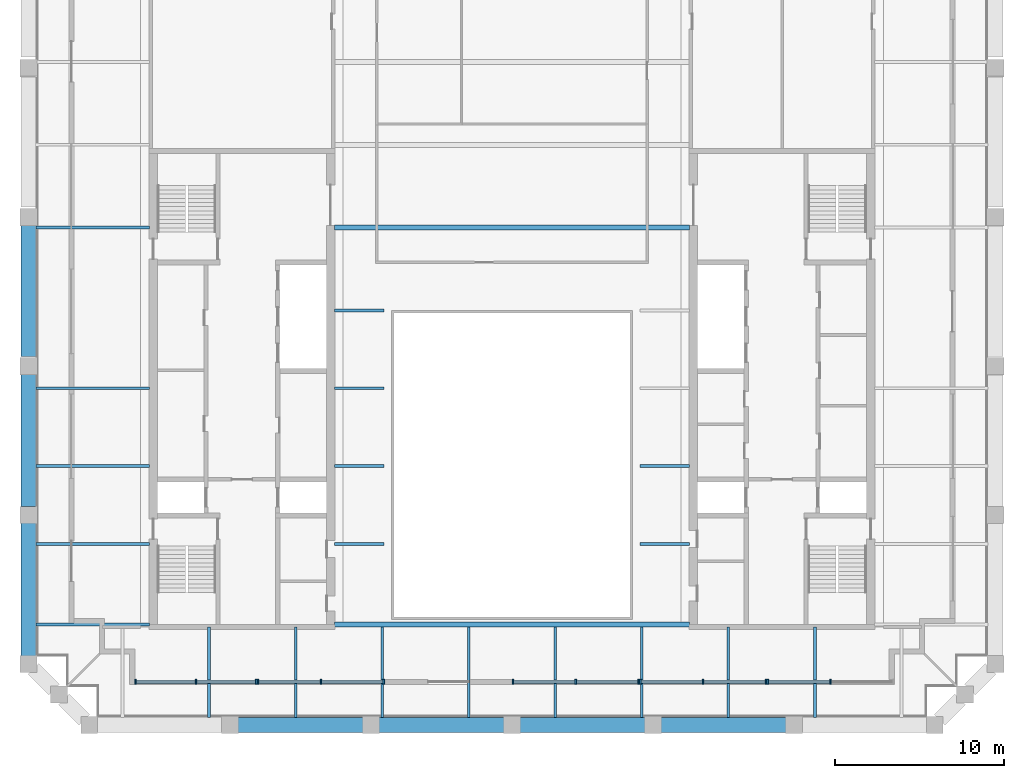
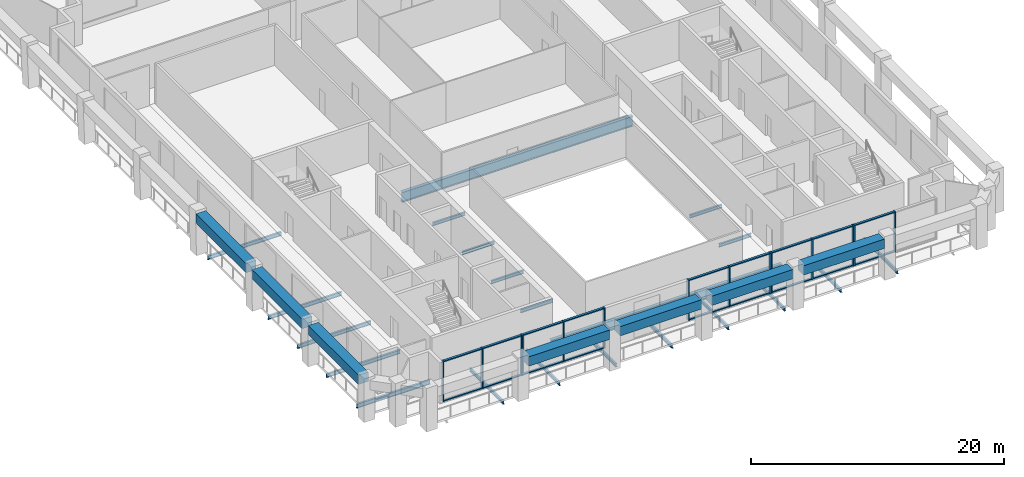
# One storey, part 2 of 10: 32 members, 28 beams, 5 elements without a shape of their own.
"""IFC4 building model written with IfcOpenShell, lengths in metres."""

from ifc_helpers import new_model, si_unit, direction, frame, origin, origin_2d, place, context, subcontext, project, spatial, rectangle, i_section, extrude, material, material_profile, profile_set, type_object, element, aggregate, save


model = new_model("IFC4")

# Units and contexts
model_context = context("Model", 3, precision=1e-05, world=origin(), true_north=direction((0.0, 1.0)))
body_context = subcontext(model_context, "Body", "Model", "MODEL_VIEW")
ifc_project = project(units=[si_unit("LENGTHUNIT", "METRE"), si_unit("AREAUNIT", "SQUARE_METRE"), si_unit("VOLUMEUNIT", "CUBIC_METRE"), si_unit("PLANEANGLEUNIT", "RADIAN"), si_unit("MASSUNIT", "GRAM", prefix="KILO")], contexts=[model_context])

# Site, building, storey
site_placement = place(None, origin())
site = spatial("IfcSite", under=ifc_project, at=site_placement, CompositionType="ELEMENT")
building_placement = place(site_placement, origin())
building = spatial("IfcBuilding", under=site, at=building_placement, Name="Ogive Exchange Tower", CompositionType="ELEMENT")
storey_placement = place(building_placement, frame((0.0, 0.0, 359.39990234375)))
storey = spatial("IfcBuildingStorey", under=building, at=storey_placement, Name="L79", CompositionType="ELEMENT", Elevation=359.39990234375)

# Curtain wall, members
ifc_material_1 = material(Name="Anodised aluminium and clear glass", Category="aluminium")
curtain_wall_type = type_object("IfcCurtainWallType", Name="Executive floor glazing", PredefinedType="NOTDEFINED", material=ifc_material_1)
curtain_wall_1_placement = place(storey_placement, origin())
curtain_wall_1 = element("IfcCurtainWall", 1, at=curtain_wall_1_placement, inside=storey, type_object=curtain_wall_type, Name="Executive floor glazing run G1", PredefinedType="NOTDEFINED")
ifc_material_2 = material(Name="Anodised aluminium", Category="aluminium")
ifc_material_profile_1 = material_profile(ifc_material_2, rectangle(XDim=0.280029296875, YDim=0.10009765625, at=origin_2d()), Name="AL 100x280")
ifc_profile_set_1 = profile_set([ifc_material_profile_1], Name="Anodised aluminium")
member_type_1 = type_object("IfcMemberType", Name="Executive floor glazing mullion 100 x 280", PredefinedType="MULLION", material=ifc_profile_set_1)
member_1_placement = place(storey_placement, frame((-22.300048828125, -5.85009765625, 0.0), z_axis=(0.0, 0.0, 1.0), x_axis=(0.0, 1.0, 0.0)))
member_1 = element("IfcMember", 2, at=member_1_placement, type_object=member_type_1, Name="G1 mullion 1", PredefinedType="MULLION", context=body_context, shape_type="SweptSolid", body=[
    extrude(rectangle(XDim=0.280029296875, YDim=0.10009765625, at=origin_2d()), origin(), (0.0, 0.0, 1.0), 3.900146484375),
])
member_2_placement = place(storey_placement, frame((-18.72509765625, -5.85009765625, 0.0), z_axis=(0.0, 0.0, 1.0), x_axis=(0.0, 1.0, 0.0)))
member_2 = element("IfcMember", 3, at=member_2_placement, type_object=member_type_1, Name="G1 mullion 2", PredefinedType="MULLION", context=body_context, shape_type="SweptSolid", body=[
    extrude(rectangle(XDim=0.280029296875, YDim=0.10009765625, at=origin_2d()), origin(), (0.0, 0.0, 1.0), 3.900146484375),
])
member_3_placement = place(storey_placement, frame((-15.14990234375, -5.85009765625, 0.0), z_axis=(0.0, 0.0, 1.0), x_axis=(0.0, 1.0, 0.0)))
member_3 = element("IfcMember", 4, at=member_3_placement, type_object=member_type_1, Name="G1 mullion 3", PredefinedType="MULLION", context=body_context, shape_type="SweptSolid", body=[
    extrude(rectangle(XDim=0.280029296875, YDim=0.10009765625, at=origin_2d()), origin(), (0.0, 0.0, 1.0), 3.900146484375),
])

curtain_wall_2_placement = place(storey_placement, origin())
curtain_wall_2 = element("IfcCurtainWall", 5, at=curtain_wall_2_placement, inside=storey, type_object=curtain_wall_type, Name="Executive floor glazing run G2", PredefinedType="NOTDEFINED")
member_4_placement = place(storey_placement, frame((-15.050048828125, -5.85009765625, 0.0), z_axis=(0.0, 0.0, 1.0), x_axis=(0.0, 1.0, 0.0)))
member_4 = element("IfcMember", 6, at=member_4_placement, type_object=member_type_1, Name="G2 mullion 1", PredefinedType="MULLION", context=body_context, shape_type="SweptSolid", body=[
    extrude(rectangle(XDim=0.280029296875, YDim=0.10009765625, at=origin_2d()), origin(), (0.0, 0.0, 1.0), 3.900146484375),
])
member_5_placement = place(storey_placement, frame((-11.324951171875, -5.85009765625, 0.0), z_axis=(0.0, 0.0, 1.0), x_axis=(0.0, 1.0, 0.0)))
member_5 = element("IfcMember", 7, at=member_5_placement, type_object=member_type_1, Name="G2 mullion 2", PredefinedType="MULLION", context=body_context, shape_type="SweptSolid", body=[
    extrude(rectangle(XDim=0.280029296875, YDim=0.10009765625, at=origin_2d()), origin(), (0.0, 0.0, 1.0), 3.900146484375),
])
member_6_placement = place(storey_placement, frame((-7.60009765625, -5.85009765625, 0.0), z_axis=(0.0, 0.0, 1.0), x_axis=(0.0, 1.0, 0.0)))
member_6 = element("IfcMember", 8, at=member_6_placement, type_object=member_type_1, Name="G2 mullion 3", PredefinedType="MULLION", context=body_context, shape_type="SweptSolid", body=[
    extrude(rectangle(XDim=0.280029296875, YDim=0.10009765625, at=origin_2d()), origin(), (0.0, 0.0, 1.0), 3.900146484375),
])

curtain_wall_3_placement = place(storey_placement, origin())
curtain_wall_3 = element("IfcCurtainWall", 9, at=curtain_wall_3_placement, inside=storey, type_object=curtain_wall_type, Name="Executive floor glazing run G4", PredefinedType="NOTDEFINED")
member_7_placement = place(storey_placement, frame((0.050048828125, -5.85009765625, 0.0), z_axis=(0.0, 0.0, 1.0), x_axis=(0.0, 1.0, 0.0)))
member_7 = element("IfcMember", 10, at=member_7_placement, type_object=member_type_1, Name="G4 mullion 1", PredefinedType="MULLION", context=body_context, shape_type="SweptSolid", body=[
    extrude(rectangle(XDim=0.280029296875, YDim=0.10009765625, at=origin_2d()), origin(), (0.0, 0.0, 1.0), 3.900146484375),
])
member_8_placement = place(storey_placement, frame((3.77490234375, -5.85009765625, 0.0), z_axis=(0.0, 0.0, 1.0), x_axis=(0.0, 1.0, 0.0)))
member_8 = element("IfcMember", 11, at=member_8_placement, type_object=member_type_1, Name="G4 mullion 2", PredefinedType="MULLION", context=body_context, shape_type="SweptSolid", body=[
    extrude(rectangle(XDim=0.280029296875, YDim=0.10009765625, at=origin_2d()), origin(), (0.0, 0.0, 1.0), 3.900146484375),
])
member_9_placement = place(storey_placement, frame((7.5, -5.85009765625, 0.0), z_axis=(0.0, 0.0, 1.0), x_axis=(0.0, 1.0, 0.0)))
member_9 = element("IfcMember", 12, at=member_9_placement, type_object=member_type_1, Name="G4 mullion 3", PredefinedType="MULLION", context=body_context, shape_type="SweptSolid", body=[
    extrude(rectangle(XDim=0.280029296875, YDim=0.10009765625, at=origin_2d()), origin(), (0.0, 0.0, 1.0), 3.900146484375),
])

curtain_wall_4_placement = place(storey_placement, origin())
curtain_wall_4 = element("IfcCurtainWall", 13, at=curtain_wall_4_placement, inside=storey, type_object=curtain_wall_type, Name="Executive floor glazing run G5", PredefinedType="NOTDEFINED")
member_10_placement = place(storey_placement, frame((7.60009765625, -5.85009765625, 0.0), z_axis=(0.0, 0.0, 1.0), x_axis=(0.0, 1.0, 0.0)))
member_10 = element("IfcMember", 14, at=member_10_placement, type_object=member_type_1, Name="G5 mullion 1", PredefinedType="MULLION", context=body_context, shape_type="SweptSolid", body=[
    extrude(rectangle(XDim=0.280029296875, YDim=0.10009765625, at=origin_2d()), origin(), (0.0, 0.0, 1.0), 3.900146484375),
])
member_11_placement = place(storey_placement, frame((11.324951171875, -5.85009765625, 0.0), z_axis=(0.0, 0.0, 1.0), x_axis=(0.0, 1.0, 0.0)))
member_11 = element("IfcMember", 15, at=member_11_placement, type_object=member_type_1, Name="G5 mullion 2", PredefinedType="MULLION", context=body_context, shape_type="SweptSolid", body=[
    extrude(rectangle(XDim=0.280029296875, YDim=0.10009765625, at=origin_2d()), origin(), (0.0, 0.0, 1.0), 3.900146484375),
])
member_12_placement = place(storey_placement, frame((15.050048828125, -5.85009765625, 0.0), z_axis=(0.0, 0.0, 1.0), x_axis=(0.0, 1.0, 0.0)))
member_12 = element("IfcMember", 16, at=member_12_placement, type_object=member_type_1, Name="G5 mullion 3", PredefinedType="MULLION", context=body_context, shape_type="SweptSolid", body=[
    extrude(rectangle(XDim=0.280029296875, YDim=0.10009765625, at=origin_2d()), origin(), (0.0, 0.0, 1.0), 3.900146484375),
])

curtain_wall_5_placement = place(storey_placement, origin())
curtain_wall_5 = element("IfcCurtainWall", 17, at=curtain_wall_5_placement, inside=storey, type_object=curtain_wall_type, Name="Executive floor glazing run G6", PredefinedType="NOTDEFINED")
member_13_placement = place(storey_placement, frame((15.14990234375, -5.85009765625, 0.0), z_axis=(0.0, 0.0, 1.0), x_axis=(0.0, 1.0, 0.0)))
member_13 = element("IfcMember", 18, at=member_13_placement, type_object=member_type_1, Name="G6 mullion 1", PredefinedType="MULLION", context=body_context, shape_type="SweptSolid", body=[
    extrude(rectangle(XDim=0.280029296875, YDim=0.10009765625, at=origin_2d()), origin(), (0.0, 0.0, 1.0), 3.900146484375),
])
member_14_placement = place(storey_placement, frame((18.875, -5.85009765625, 0.0), z_axis=(0.0, 0.0, 1.0), x_axis=(0.0, 1.0, 0.0)))
member_14 = element("IfcMember", 19, at=member_14_placement, type_object=member_type_1, Name="G6 mullion 2", PredefinedType="MULLION", context=body_context, shape_type="SweptSolid", body=[
    extrude(rectangle(XDim=0.280029296875, YDim=0.10009765625, at=origin_2d()), origin(), (0.0, 0.0, 1.0), 3.900146484375),
])

# Member
ifc_material_profile_2 = material_profile(ifc_material_2, rectangle(XDim=0.199951171875, YDim=0.10009765625, at=origin_2d()), Name="AL 100x200")
ifc_profile_set_2 = profile_set([ifc_material_profile_2], Name="Anodised aluminium")
member_type_2 = type_object("IfcMemberType", Name="Executive floor glazing transom 100 x 200", PredefinedType="USERDEFINED", material=ifc_profile_set_2)
member_15_placement = place(storey_placement, frame((-22.25, -5.85009765625, 0.050048828125), z_axis=(1.0, 0.0, 0.0), x_axis=(0.0, 1.0, 0.0)))
member_15 = element("IfcMember", 20, at=member_15_placement, type_object=member_type_2, Name="G1 transom 1.1", ObjectType="TRANSOM", PredefinedType="USERDEFINED", context=body_context, shape_type="SweptSolid", body=[
    extrude(rectangle(XDim=0.199951171875, YDim=0.10009765625, at=origin_2d()), origin(), (0.0, 0.0, 1.0), 3.47509765625),
])

member_16_placement = place(storey_placement, frame((-22.25, -5.85009765625, 3.85009765625), z_axis=(1.0, 0.0, 0.0), x_axis=(0.0, 1.0, 0.0)))
member_16 = element("IfcMember", 21, at=member_16_placement, type_object=member_type_2, Name="G1 transom 1.2", ObjectType="TRANSOM", PredefinedType="USERDEFINED", context=body_context, shape_type="SweptSolid", body=[
    extrude(rectangle(XDim=0.199951171875, YDim=0.10009765625, at=origin_2d()), origin(), (0.0, 0.0, 1.0), 3.47509765625),
])

member_17_placement = place(storey_placement, frame((-18.675048828125, -5.85009765625, 0.050048828125), z_axis=(1.0, 0.0, 0.0), x_axis=(0.0, 1.0, 0.0)))
member_17 = element("IfcMember", 22, at=member_17_placement, type_object=member_type_2, Name="G1 transom 2.1", ObjectType="TRANSOM", PredefinedType="USERDEFINED", context=body_context, shape_type="SweptSolid", body=[
    extrude(rectangle(XDim=0.199951171875, YDim=0.10009765625, at=origin_2d()), origin(), (0.0, 0.0, 1.0), 3.47509765625),
])

member_18_placement = place(storey_placement, frame((-18.675048828125, -5.85009765625, 3.85009765625), z_axis=(1.0, 0.0, 0.0), x_axis=(0.0, 1.0, 0.0)))
member_18 = element("IfcMember", 23, at=member_18_placement, type_object=member_type_2, Name="G1 transom 2.2", ObjectType="TRANSOM", PredefinedType="USERDEFINED", context=body_context, shape_type="SweptSolid", body=[
    extrude(rectangle(XDim=0.199951171875, YDim=0.10009765625, at=origin_2d()), origin(), (0.0, 0.0, 1.0), 3.47509765625),
])

aggregate(curtain_wall_1, [member_1, member_2, member_3, member_15, member_16, member_17, member_18])

member_19_placement = place(storey_placement, frame((-15.0, -5.85009765625, 0.050048828125), z_axis=(1.0, 0.0, 0.0), x_axis=(0.0, 1.0, 0.0)))
member_19 = element("IfcMember", 24, at=member_19_placement, type_object=member_type_2, Name="G2 transom 1.1", ObjectType="TRANSOM", PredefinedType="USERDEFINED", context=body_context, shape_type="SweptSolid", body=[
    extrude(rectangle(XDim=0.199951171875, YDim=0.10009765625, at=origin_2d()), origin(), (0.0, 0.0, 1.0), 3.625),
])

member_20_placement = place(storey_placement, frame((-15.0, -5.85009765625, 3.85009765625), z_axis=(1.0, 0.0, 0.0), x_axis=(0.0, 1.0, 0.0)))
member_20 = element("IfcMember", 25, at=member_20_placement, type_object=member_type_2, Name="G2 transom 1.2", ObjectType="TRANSOM", PredefinedType="USERDEFINED", context=body_context, shape_type="SweptSolid", body=[
    extrude(rectangle(XDim=0.199951171875, YDim=0.10009765625, at=origin_2d()), origin(), (0.0, 0.0, 1.0), 3.625),
])

member_21_placement = place(storey_placement, frame((-11.27490234375, -5.85009765625, 0.050048828125), z_axis=(1.0, 0.0, 0.0), x_axis=(0.0, 1.0, 0.0)))
member_21 = element("IfcMember", 26, at=member_21_placement, type_object=member_type_2, Name="G2 transom 2.1", ObjectType="TRANSOM", PredefinedType="USERDEFINED", context=body_context, shape_type="SweptSolid", body=[
    extrude(rectangle(XDim=0.199951171875, YDim=0.10009765625, at=origin_2d()), origin(), (0.0, 0.0, 1.0), 3.625),
])

member_22_placement = place(storey_placement, frame((-11.27490234375, -5.85009765625, 3.85009765625), z_axis=(1.0, 0.0, 0.0), x_axis=(0.0, 1.0, 0.0)))
member_22 = element("IfcMember", 27, at=member_22_placement, type_object=member_type_2, Name="G2 transom 2.2", ObjectType="TRANSOM", PredefinedType="USERDEFINED", context=body_context, shape_type="SweptSolid", body=[
    extrude(rectangle(XDim=0.199951171875, YDim=0.10009765625, at=origin_2d()), origin(), (0.0, 0.0, 1.0), 3.625),
])

aggregate(curtain_wall_2, [member_4, member_5, member_6, member_19, member_20, member_21, member_22])

member_23_placement = place(storey_placement, frame((0.10009765625, -5.85009765625, 0.050048828125), z_axis=(1.0, 0.0, 0.0), x_axis=(0.0, 1.0, 0.0)))
member_23 = element("IfcMember", 28, at=member_23_placement, type_object=member_type_2, Name="G4 transom 1.1", ObjectType="TRANSOM", PredefinedType="USERDEFINED", context=body_context, shape_type="SweptSolid", body=[
    extrude(rectangle(XDim=0.199951171875, YDim=0.10009765625, at=origin_2d()), origin(), (0.0, 0.0, 1.0), 3.625),
])

member_24_placement = place(storey_placement, frame((0.10009765625, -5.85009765625, 3.85009765625), z_axis=(1.0, 0.0, 0.0), x_axis=(0.0, 1.0, 0.0)))
member_24 = element("IfcMember", 29, at=member_24_placement, type_object=member_type_2, Name="G4 transom 1.2", ObjectType="TRANSOM", PredefinedType="USERDEFINED", context=body_context, shape_type="SweptSolid", body=[
    extrude(rectangle(XDim=0.199951171875, YDim=0.10009765625, at=origin_2d()), origin(), (0.0, 0.0, 1.0), 3.625),
])

member_25_placement = place(storey_placement, frame((3.824951171875, -5.85009765625, 0.050048828125), z_axis=(1.0, 0.0, 0.0), x_axis=(0.0, 1.0, 0.0)))
member_25 = element("IfcMember", 30, at=member_25_placement, type_object=member_type_2, Name="G4 transom 2.1", ObjectType="TRANSOM", PredefinedType="USERDEFINED", context=body_context, shape_type="SweptSolid", body=[
    extrude(rectangle(XDim=0.199951171875, YDim=0.10009765625, at=origin_2d()), origin(), (0.0, 0.0, 1.0), 3.625),
])

member_26_placement = place(storey_placement, frame((3.824951171875, -5.85009765625, 3.85009765625), z_axis=(1.0, 0.0, 0.0), x_axis=(0.0, 1.0, 0.0)))
member_26 = element("IfcMember", 31, at=member_26_placement, type_object=member_type_2, Name="G4 transom 2.2", ObjectType="TRANSOM", PredefinedType="USERDEFINED", context=body_context, shape_type="SweptSolid", body=[
    extrude(rectangle(XDim=0.199951171875, YDim=0.10009765625, at=origin_2d()), origin(), (0.0, 0.0, 1.0), 3.625),
])

aggregate(curtain_wall_3, [member_7, member_8, member_9, member_23, member_24, member_25, member_26])

member_27_placement = place(storey_placement, frame((7.64990234375, -5.85009765625, 0.050048828125), z_axis=(1.0, 0.0, 0.0), x_axis=(0.0, 1.0, 0.0)))
member_27 = element("IfcMember", 32, at=member_27_placement, type_object=member_type_2, Name="G5 transom 1.1", ObjectType="TRANSOM", PredefinedType="USERDEFINED", context=body_context, shape_type="SweptSolid", body=[
    extrude(rectangle(XDim=0.199951171875, YDim=0.10009765625, at=origin_2d()), origin(), (0.0, 0.0, 1.0), 3.625),
])

member_28_placement = place(storey_placement, frame((7.64990234375, -5.85009765625, 3.85009765625), z_axis=(1.0, 0.0, 0.0), x_axis=(0.0, 1.0, 0.0)))
member_28 = element("IfcMember", 33, at=member_28_placement, type_object=member_type_2, Name="G5 transom 1.2", ObjectType="TRANSOM", PredefinedType="USERDEFINED", context=body_context, shape_type="SweptSolid", body=[
    extrude(rectangle(XDim=0.199951171875, YDim=0.10009765625, at=origin_2d()), origin(), (0.0, 0.0, 1.0), 3.625),
])

member_29_placement = place(storey_placement, frame((11.375, -5.85009765625, 0.050048828125), z_axis=(1.0, 0.0, 0.0), x_axis=(0.0, 1.0, 0.0)))
member_29 = element("IfcMember", 34, at=member_29_placement, type_object=member_type_2, Name="G5 transom 2.1", ObjectType="TRANSOM", PredefinedType="USERDEFINED", context=body_context, shape_type="SweptSolid", body=[
    extrude(rectangle(XDim=0.199951171875, YDim=0.10009765625, at=origin_2d()), origin(), (0.0, 0.0, 1.0), 3.625),
])

member_30_placement = place(storey_placement, frame((11.375, -5.85009765625, 3.85009765625), z_axis=(1.0, 0.0, 0.0), x_axis=(0.0, 1.0, 0.0)))
member_30 = element("IfcMember", 35, at=member_30_placement, type_object=member_type_2, Name="G5 transom 2.2", ObjectType="TRANSOM", PredefinedType="USERDEFINED", context=body_context, shape_type="SweptSolid", body=[
    extrude(rectangle(XDim=0.199951171875, YDim=0.10009765625, at=origin_2d()), origin(), (0.0, 0.0, 1.0), 3.625),
])

aggregate(curtain_wall_4, [member_10, member_11, member_12, member_27, member_28, member_29, member_30])

member_31_placement = place(storey_placement, frame((15.199951171875, -5.85009765625, 0.050048828125), z_axis=(1.0, 0.0, 0.0), x_axis=(0.0, 1.0, 0.0)))
member_31 = element("IfcMember", 36, at=member_31_placement, type_object=member_type_2, Name="G6 transom 1.1", ObjectType="TRANSOM", PredefinedType="USERDEFINED", context=body_context, shape_type="SweptSolid", body=[
    extrude(rectangle(XDim=0.199951171875, YDim=0.10009765625, at=origin_2d()), origin(), (0.0, 0.0, 1.0), 3.625),
])

member_32_placement = place(storey_placement, frame((15.199951171875, -5.85009765625, 3.85009765625), z_axis=(1.0, 0.0, 0.0), x_axis=(0.0, 1.0, 0.0)))
member_32 = element("IfcMember", 37, at=member_32_placement, type_object=member_type_2, Name="G6 transom 1.2", ObjectType="TRANSOM", PredefinedType="USERDEFINED", context=body_context, shape_type="SweptSolid", body=[
    extrude(rectangle(XDim=0.199951171875, YDim=0.10009765625, at=origin_2d()), origin(), (0.0, 0.0, 1.0), 3.625),
])

aggregate(curtain_wall_5, [member_13, member_14, member_31, member_32])

# Beams
ifc_material_3 = material(Name="Steel ASTM A992 Gr50", Category="steel")
ifc_material_profile_3 = material_profile(ifc_material_3, i_section(OverallWidth=0.300048828125, OverallDepth=0.97998046875, WebThickness=0.0166015625, FlangeThickness=0.026123046875, at=origin_2d()), Name="W1000x249")
ifc_profile_set_3 = profile_set([ifc_material_profile_3], Name="Steel ASTM A992 Gr50")
beam_type_1 = type_object("IfcBeamType", Name="Floor beam W1000x249", PredefinedType="JOIST", material=ifc_profile_set_3)
beam_1_placement = place(storey_placement, frame((-10.52001953125, 21.06201171875, -0.739990234375), z_axis=(1.0, 0.0, 0.0), x_axis=(0.0, 1.0, 0.0)))
element("IfcBeam", 38, at=beam_1_placement, inside=storey, type_object=beam_type_1, Name="Floor beam", PredefinedType="JOIST", context=body_context, shape_type="SweptSolid", body=[
    extrude(i_section(OverallWidth=0.300048828125, OverallDepth=0.97998046875, WebThickness=0.0166015625, FlangeThickness=0.026123046875, at=origin_2d()), origin(), (0.0, 0.0, 1.0), 21.0400390625),
])
ifc_material_profile_4 = material_profile(ifc_material_3, i_section(OverallWidth=0.1650390625, OverallDepth=0.31005859375, WebThickness=0.005859375, FlangeThickness=0.009765625, at=origin_2d()), Name="W310x38.7")
ifc_profile_set_4 = profile_set([ifc_material_profile_4], Name="Steel ASTM A992 Gr50")
beam_type_2 = type_object("IfcBeamType", Name="Floor beam W310x38.7", PredefinedType="JOIST", material=ifc_profile_set_4)
for number, where, z_axis, x_axis, name in (
    (39, (-10.52001953125, 2.3212890625, -0.40478515625), (1.0, 0.0, 0.0), (0.0, 1.0, 0.0), "Floor beam"),
    (40, (7.570068359375, 2.3212890625, -0.40478515625), (1.0, 0.0, 0.0), (0.0, 1.0, 0.0), "Floor beam"),
    (41, (-10.52001953125, 6.9326171875, -0.40478515625), (1.0, 0.0, 0.0), (0.0, 1.0, 0.0), "Floor beam"),
    (42, (7.570068359375, 6.9326171875, -0.40478515625), (1.0, 0.0, 0.0), (0.0, 1.0, 0.0), "Floor beam"),
    (43, (-10.52001953125, 11.543701171875, -0.40478515625), (1.0, 0.0, 0.0), (0.0, 1.0, 0.0), "Floor beam"),
):
    element("IfcBeam", number, at=place(storey_placement, frame(where, z_axis=z_axis, x_axis=x_axis)), inside=storey, type_object=beam_type_2, Name=name, PredefinedType="JOIST", context=body_context, shape_type="SweptSolid", body=[
        extrude(i_section(OverallWidth=0.1650390625, OverallDepth=0.31005859375, WebThickness=0.005859375, FlangeThickness=0.009765625, at=origin_2d()), origin(), (0.0, 0.0, 1.0), 2.949951171875),
    ])
for number, where, z_axis, x_axis, name in (
    (44, (-17.945556640625, -7.949951171875, -0.40478515625), (0.0, 1.0, 0.0), (-1.0, 0.0, 0.0), "Floor beam"),
    (45, (-12.818115234375, -7.949951171875, -0.40478515625), (0.0, 1.0, 0.0), (-1.0, 0.0, 0.0), "Floor beam"),
):
    element("IfcBeam", number, at=place(storey_placement, frame(where, z_axis=z_axis, x_axis=x_axis)), inside=storey, type_object=beam_type_2, Name=name, PredefinedType="JOIST", context=body_context, shape_type="SweptSolid", body=[
        extrude(i_section(OverallWidth=0.1650390625, OverallDepth=0.31005859375, WebThickness=0.005859375, FlangeThickness=0.009765625, at=origin_2d()), origin(), (0.0, 0.0, 1.0), 5.349853515625),
    ])
for number, where, z_axis, x_axis, name in (
    (46, (-7.69091796875, -7.949951171875, -0.40478515625), (0.0, 1.0, 0.0), (-1.0, 0.0, 0.0), "Floor beam"),
    (47, (-2.563720703125, -7.949951171875, -0.40478515625), (0.0, 1.0, 0.0), (-1.0, 0.0, 0.0), "Floor beam"),
    (48, (2.563720703125, -7.949951171875, -0.40478515625), (0.0, 1.0, 0.0), (-1.0, 0.0, 0.0), "Floor beam"),
    (49, (7.69091796875, -7.949951171875, -0.40478515625), (0.0, 1.0, 0.0), (-1.0, 0.0, 0.0), "Floor beam"),
):
    element("IfcBeam", number, at=place(storey_placement, frame(where, z_axis=z_axis, x_axis=x_axis)), inside=storey, type_object=beam_type_2, Name=name, PredefinedType="JOIST", context=body_context, shape_type="SweptSolid", body=[
        extrude(i_section(OverallWidth=0.1650390625, OverallDepth=0.31005859375, WebThickness=0.005859375, FlangeThickness=0.009765625, at=origin_2d()), origin(), (0.0, 0.0, 1.0), 5.35498046875),
    ])
for number, where, z_axis, x_axis, name in (
    (50, (12.818115234375, -7.949951171875, -0.40478515625), (0.0, 1.0, 0.0), (-1.0, 0.0, 0.0), "Floor beam"),
    (51, (17.945556640625, -7.949951171875, -0.40478515625), (0.0, 1.0, 0.0), (-1.0, 0.0, 0.0), "Floor beam"),
):
    element("IfcBeam", number, at=place(storey_placement, frame(where, z_axis=z_axis, x_axis=x_axis)), inside=storey, type_object=beam_type_2, Name=name, PredefinedType="JOIST", context=body_context, shape_type="SweptSolid", body=[
        extrude(i_section(OverallWidth=0.1650390625, OverallDepth=0.31005859375, WebThickness=0.005859375, FlangeThickness=0.009765625, at=origin_2d()), origin(), (0.0, 0.0, 1.0), 5.349853515625),
    ])
ifc_material_profile_5 = material_profile(ifc_material_3, i_section(OverallWidth=0.1708984375, OverallDepth=0.35595703125, WebThickness=0.00732421875, FlangeThickness=0.01171875, at=origin_2d()), Name="W360x51")
ifc_profile_set_5 = profile_set([ifc_material_profile_5], Name="Steel ASTM A992 Gr50")
beam_type_3 = type_object("IfcBeamType", Name="Floor beam W360x51", PredefinedType="JOIST", material=ifc_profile_set_5)
for number, where, z_axis, x_axis, name in (
    (52, (-28.199951171875, 2.3212890625, -0.427978515625), (1.0, 0.0, 0.0), (0.0, 1.0, 0.0), "Floor beam"),
    (53, (-28.199951171875, 6.9326171875, -0.427978515625), (1.0, 0.0, 0.0), (0.0, 1.0, 0.0), "Floor beam"),
    (54, (-28.199951171875, 11.543701171875, -0.427978515625), (1.0, 0.0, 0.0), (0.0, 1.0, 0.0), "Floor beam"),
    (55, (-28.199951171875, 21.06201171875, -0.427978515625), (1.0, 0.0, 0.0), (0.0, 1.0, 0.0), "Floor beam"),
):
    element("IfcBeam", number, at=place(storey_placement, frame(where, z_axis=z_axis, x_axis=x_axis)), inside=storey, type_object=beam_type_3, Name=name, PredefinedType="JOIST", context=body_context, shape_type="SweptSolid", body=[
        extrude(i_section(OverallWidth=0.1708984375, OverallDepth=0.35595703125, WebThickness=0.00732421875, FlangeThickness=0.01171875, at=origin_2d()), origin(), (0.0, 0.0, 1.0), 6.719970703125),
    ])
ifc_material_profile_6 = material_profile(ifc_material_3, i_section(OverallWidth=0.300048828125, OverallDepth=0.97998046875, WebThickness=0.0166015625, FlangeThickness=0.026123046875, at=origin_2d()), Name="W1000x249")
ifc_profile_set_6 = profile_set([ifc_material_profile_6], Name="Steel ASTM A992 Gr50")
beam_type_4 = type_object("IfcBeamType", Name="Girder W1000x249", PredefinedType="BEAM", material=ifc_profile_set_6)
beam_2_placement = place(storey_placement, frame((-10.52001953125, -2.445068359375, -0.739990234375), z_axis=(1.0, 0.0, 0.0), x_axis=(0.0, 1.0, 0.0)))
element("IfcBeam", 56, at=beam_2_placement, inside=storey, type_object=beam_type_4, Name="Header girder", PredefinedType="BEAM", context=body_context, shape_type="SweptSolid", body=[
    extrude(i_section(OverallWidth=0.300048828125, OverallDepth=0.97998046875, WebThickness=0.0166015625, FlangeThickness=0.026123046875, at=origin_2d()), origin(), (0.0, 0.0, 1.0), 21.0400390625),
])
ifc_material_profile_7 = material_profile(ifc_material_3, i_section(OverallWidth=0.1650390625, OverallDepth=0.31005859375, WebThickness=0.005859375, FlangeThickness=0.009765625, at=origin_2d()), Name="W310x38.7")
ifc_profile_set_7 = profile_set([ifc_material_profile_7], Name="Steel ASTM A992 Gr50")
beam_type_5 = type_object("IfcBeamType", Name="Girder W310x38.7", PredefinedType="BEAM", material=ifc_profile_set_7)
beam_3_placement = place(storey_placement, frame((-10.52001953125, 16.155029296875, -0.40478515625), z_axis=(1.0, 0.0, 0.0), x_axis=(0.0, 1.0, 0.0)))
element("IfcBeam", 57, at=beam_3_placement, inside=storey, type_object=beam_type_5, Name="Trimmer girder", PredefinedType="BEAM", context=body_context, shape_type="SweptSolid", body=[
    extrude(i_section(OverallWidth=0.1650390625, OverallDepth=0.31005859375, WebThickness=0.005859375, FlangeThickness=0.009765625, at=origin_2d()), origin(), (0.0, 0.0, 1.0), 2.949951171875),
])
ifc_material_profile_8 = material_profile(ifc_material_3, i_section(OverallWidth=0.177978515625, OverallDepth=0.406005859375, WebThickness=0.0078125, FlangeThickness=0.0126953125, at=origin_2d()), Name="W410x60")
ifc_profile_set_8 = profile_set([ifc_material_profile_8], Name="Steel ASTM A992 Gr50")
beam_type_6 = type_object("IfcBeamType", Name="Girder W410x60", PredefinedType="BEAM", material=ifc_profile_set_8)
beam_4_placement = place(storey_placement, frame((-28.199951171875, -2.445068359375, -0.452880859375), z_axis=(1.0, 0.0, 0.0), x_axis=(0.0, 1.0, 0.0)))
element("IfcBeam", 58, at=beam_4_placement, inside=storey, type_object=beam_type_6, Name="Header girder", PredefinedType="BEAM", context=body_context, shape_type="SweptSolid", body=[
    extrude(i_section(OverallWidth=0.177978515625, OverallDepth=0.406005859375, WebThickness=0.0078125, FlangeThickness=0.0126953125, at=origin_2d()), origin(), (0.0, 0.0, 1.0), 6.719970703125),
])
ifc_material_4 = material(Name="Precast concrete C70/85 (limestone faced)", Category="masonry")
ifc_material_profile_9 = material_profile(ifc_material_4, rectangle(XDim=0.89990234375, YDim=0.89990234375, at=origin_2d()), Name="900 x 900")
ifc_profile_set_9 = profile_set([ifc_material_profile_9], Name="Precast concrete C70/85 (limestone faced)")
beam_type_7 = type_object("IfcBeamType", Name="Precast spandrel 900 x 900 C70/85", PredefinedType="SPANDREL", material=ifc_profile_set_9)
beam_5_placement = place(storey_placement, frame((-16.219970703125, -8.39990234375, 3.5), z_axis=(1.0, 0.0, 0.0), x_axis=(0.0, 1.0, 0.0)))
element("IfcBeam", 59, at=beam_5_placement, inside=storey, type_object=beam_type_7, Name="Spandrel 2", PredefinedType="SPANDREL", context=body_context, shape_type="SweptSolid", body=[
    extrude(rectangle(XDim=0.89990234375, YDim=0.89990234375, at=origin_2d()), origin(), (0.0, 0.0, 1.0), 7.389892578125),
])
for number, where, z_axis, x_axis, name in (
    (60, (-7.8701171875, -8.39990234375, 3.5), (1.0, 0.0, 0.0), (0.0, 1.0, 0.0), "Spandrel 3"),
    (61, (0.47998046875, -8.39990234375, 3.5), (1.0, 0.0, 0.0), (0.0, 1.0, 0.0), "Spandrel 4"),
):
    element("IfcBeam", number, at=place(storey_placement, frame(where, z_axis=z_axis, x_axis=x_axis)), inside=storey, type_object=beam_type_7, Name=name, PredefinedType="SPANDREL", context=body_context, shape_type="SweptSolid", body=[
        extrude(rectangle(XDim=0.89990234375, YDim=0.89990234375, at=origin_2d()), origin(), (0.0, 0.0, 1.0), 7.39013671875),
    ])
beam_6_placement = place(storey_placement, frame((8.830078125, -8.39990234375, 3.5), z_axis=(1.0, 0.0, 0.0), x_axis=(0.0, 1.0, 0.0)))
element("IfcBeam", 62, at=beam_6_placement, inside=storey, type_object=beam_type_7, Name="Spandrel 5", PredefinedType="SPANDREL", context=body_context, shape_type="SweptSolid", body=[
    extrude(rectangle(XDim=0.89990234375, YDim=0.89990234375, at=origin_2d()), origin(), (0.0, 0.0, 1.0), 7.389892578125),
])
beam_7_placement = place(storey_placement, frame((-28.64990234375, 21.338134765625, 3.5), z_axis=(0.0, -1.0, 0.0), x_axis=(1.0, 0.0, 0.0)))
element("IfcBeam", 63, at=beam_7_placement, inside=storey, type_object=beam_type_7, Name="Spandrel 30", PredefinedType="SPANDREL", context=body_context, shape_type="SweptSolid", body=[
    extrude(rectangle(XDim=0.89990234375, YDim=0.89990234375, at=origin_2d()), origin(), (0.0, 0.0, 1.0), 7.91259765625),
])
for number, where, z_axis, x_axis, name in (
    (64, (-28.64990234375, 12.465576171875, 3.5), (0.0, -1.0, 0.0), (1.0, 0.0, 0.0), "Spandrel 31"),
    (65, (-28.64990234375, 3.5927734375, 3.5), (0.0, -1.0, 0.0), (1.0, 0.0, 0.0), "Spandrel 32"),
):
    element("IfcBeam", number, at=place(storey_placement, frame(where, z_axis=z_axis, x_axis=x_axis)), inside=storey, type_object=beam_type_7, Name=name, PredefinedType="SPANDREL", context=body_context, shape_type="SweptSolid", body=[
        extrude(rectangle(XDim=0.89990234375, YDim=0.89990234375, at=origin_2d()), origin(), (0.0, 0.0, 1.0), 7.912841796875),
    ])

save(model, "model.ifc")
